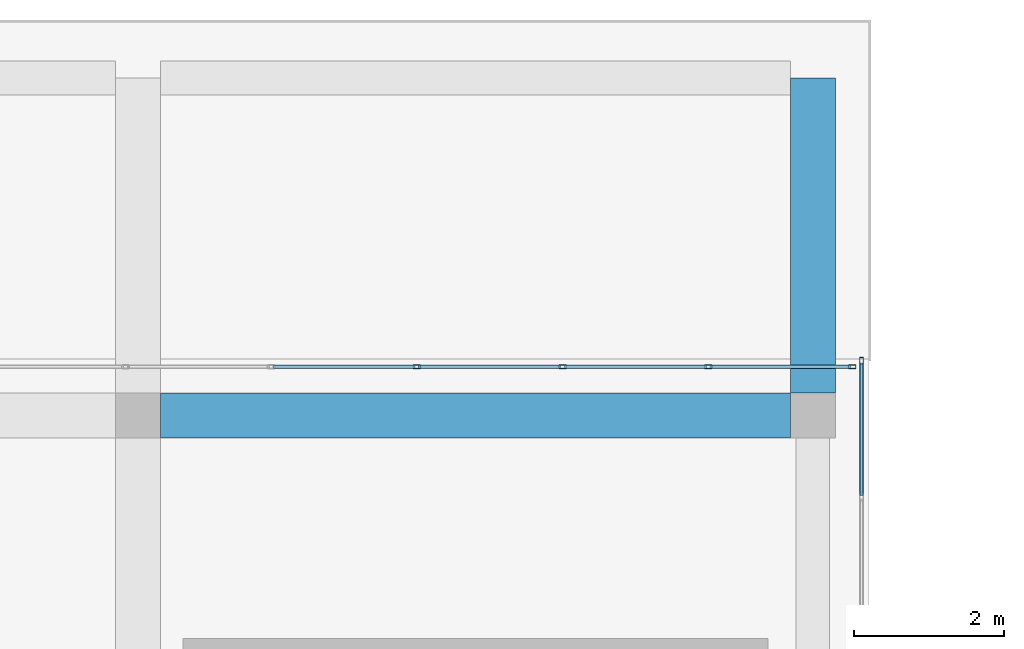
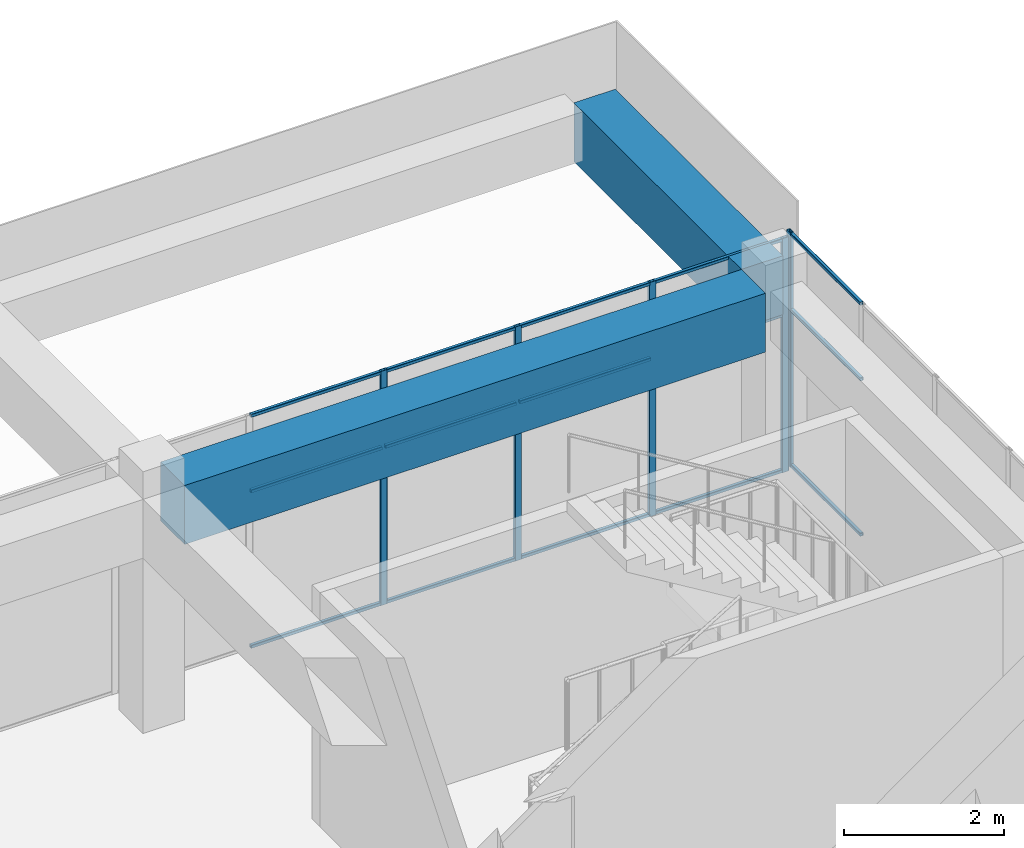
# One storey, part 28 of 35: 20 members, 2 beams, 2 elements without a shape of their own.
"""IFC4 building model written with IfcOpenShell, lengths in metres."""

from ifc_helpers import new_model, si_unit, direction, frame, origin, origin_2d, place, context, subcontext, project, spatial, rectangle, hollow_rectangle, extrude, material, layer, layer_set, material_profile, profile_set, type_object, element, aggregate, save


model = new_model("IFC4")

# Units and contexts
model_context = context("Model", 3, precision=1e-05, world=origin(), true_north=direction((0.0, 1.0)))
body_context = subcontext(model_context, "Body", "Model", "MODEL_VIEW")
ifc_project = project(units=[si_unit("LENGTHUNIT", "METRE"), si_unit("AREAUNIT", "SQUARE_METRE"), si_unit("VOLUMEUNIT", "CUBIC_METRE"), si_unit("PLANEANGLEUNIT", "RADIAN"), si_unit("MASSUNIT", "GRAM", prefix="KILO")], contexts=[model_context])

# Site, building, storey
site_placement = place(None, origin())
site = spatial("IfcSite", under=ifc_project, at=site_placement, CompositionType="ELEMENT")
building_placement = place(site_placement, origin())
building = spatial("IfcBuilding", under=site, at=building_placement, Name="Tuart Plaza Theatre", CompositionType="ELEMENT")
storey_placement = place(building_placement, frame((0.0, 0.0, 49.5)))
storey = spatial("IfcBuildingStorey", under=building, at=storey_placement, Name="L12", CompositionType="ELEMENT", Elevation=49.5)

# Beams
ifc_material_1 = material(Name="Concrete N40 (40 MPa)", Category="concrete")
ifc_material_profile_1 = material_profile(ifc_material_1, rectangle(XDim=0.60009765625, YDim=0.89990234375, at=origin_2d()), Name="BEAM 600x900 Concrete N40 (40 MPa)")
ifc_profile_set_1 = profile_set([ifc_material_profile_1], Name="Concrete N40 (40 MPa)")
beam_type = type_object("IfcBeamType", Name="BEAM 600x900 Concrete N40 (40 MPa)", PredefinedType="BEAM", material=ifc_profile_set_1)
beam_1_placement = place(storey_placement, frame((132.300048828125, 92.0, 3.1298828125), z_axis=(1.0, 0.0, 0.0), x_axis=(0.0, 1.0, 0.0)))
element("IfcBeam", 1, at=beam_1_placement, inside=storey, type_object=beam_type, Name="RB303", PredefinedType="BEAM", context=body_context, shape_type="SweptSolid", body=[
    extrude(rectangle(XDim=0.60009765625, YDim=0.89990234375, at=origin_2d()), origin(), (0.0, 0.0, 1.0), 8.39990234375),
])
beam_2_placement = place(storey_placement, frame((141.0, 92.300048828125, 3.1298828125), z_axis=(0.0, 1.0, 0.0), x_axis=(-1.0, 0.0, 0.0)))
element("IfcBeam", 2, at=beam_2_placement, inside=storey, type_object=beam_type, Name="RB317", PredefinedType="BEAM", context=body_context, shape_type="SweptSolid", body=[
    extrude(rectangle(XDim=0.60009765625, YDim=0.89990234375, at=origin_2d()), origin(), (0.0, 0.0, 1.0), 4.199951171875),
])

# Curtain wall, member
ifc_material_2 = material(Name="Aluminium and glass", Category="aluminium")
ifc_layer = layer(ifc_material_2, 0.10009765625)
ifc_layer_set = layer_set([ifc_layer], Name="CURTAIN WALL 2000 module")
curtain_wall_type = type_object("IfcCurtainWallType", Name="CURTAIN WALL 2000 module", PredefinedType="NOTDEFINED", material=ifc_layer_set)
curtain_wall_1_placement = place(storey_placement, origin())
curtain_wall_1 = element("IfcCurtainWall", 3, at=curtain_wall_1_placement, inside=storey, type_object=curtain_wall_type, Name="CW104", PredefinedType="NOTDEFINED")
ifc_material_3 = material(Name="Aluminium 6063-T5", Category="aluminium")
ifc_material_profile_2 = material_profile(ifc_material_3, hollow_rectangle(XDim=0.050048828125, YDim=0.10009765625, WallThickness=0.00390625, InnerFilletRadius=0.00390625, OuterFilletRadius=0.008056640625, at=origin_2d()), Name="RHS 100x50x4")
ifc_profile_set_2 = profile_set([ifc_material_profile_2], Name="Aluminium 6063-T5")
member_type_1 = type_object("IfcMemberType", Name="MULLION RHS 100x50x4", PredefinedType="MULLION", material=ifc_profile_set_2)
member_1_placement = place(storey_placement, frame((141.64990234375, 92.72509765625, 0.0), z_axis=(0.0, 0.0, 1.0), x_axis=(-1.0, 0.0, 0.0)))
member_1 = element("IfcMember", 4, at=member_1_placement, type_object=member_type_1, Name="CW104 mullion 6", PredefinedType="MULLION", context=body_context, shape_type="SweptSolid", body=[
    extrude(hollow_rectangle(XDim=0.050048828125, YDim=0.10009765625, WallThickness=0.00390625, InnerFilletRadius=0.00390625, OuterFilletRadius=0.008056640625, at=origin_2d()), origin(), (0.0, 0.0, 1.0), 3.580078125),
])

# Curtain wall, members
curtain_wall_2_placement = place(storey_placement, origin())
curtain_wall_2 = element("IfcCurtainWall", 5, at=curtain_wall_2_placement, inside=storey, type_object=curtain_wall_type, Name="CW105", PredefinedType="NOTDEFINED")
member_2_placement = place(storey_placement, frame((141.52490234375, 92.64990234375, 0.0), z_axis=(0.0, 0.0, 1.0), x_axis=(0.0, -1.0, 0.0)))
member_2 = element("IfcMember", 6, at=member_2_placement, type_object=member_type_1, Name="CW105 mullion 1", PredefinedType="MULLION", context=body_context, shape_type="SweptSolid", body=[
    extrude(hollow_rectangle(XDim=0.050048828125, YDim=0.10009765625, WallThickness=0.00390625, InnerFilletRadius=0.00390625, OuterFilletRadius=0.008056640625, at=origin_2d()), origin(), (0.0, 0.0, 1.0), 3.580078125),
])
member_3_placement = place(storey_placement, frame((139.606201171875, 92.64990234375, 0.0), z_axis=(0.0, 0.0, 1.0), x_axis=(0.0, -1.0, 0.0)))
member_3 = element("IfcMember", 7, at=member_3_placement, type_object=member_type_1, Name="CW105 mullion 2", PredefinedType="MULLION", context=body_context, shape_type="SweptSolid", body=[
    extrude(hollow_rectangle(XDim=0.050048828125, YDim=0.10009765625, WallThickness=0.00390625, InnerFilletRadius=0.00390625, OuterFilletRadius=0.008056640625, at=origin_2d()), origin(), (0.0, 0.0, 1.0), 3.580078125),
])
member_4_placement = place(storey_placement, frame((137.66259765625, 92.64990234375, 0.0), z_axis=(0.0, 0.0, 1.0), x_axis=(0.0, -1.0, 0.0)))
member_4 = element("IfcMember", 8, at=member_4_placement, type_object=member_type_1, Name="CW105 mullion 3", PredefinedType="MULLION", context=body_context, shape_type="SweptSolid", body=[
    extrude(hollow_rectangle(XDim=0.050048828125, YDim=0.10009765625, WallThickness=0.00390625, InnerFilletRadius=0.00390625, OuterFilletRadius=0.008056640625, at=origin_2d()), origin(), (0.0, 0.0, 1.0), 3.580078125),
])
member_5_placement = place(storey_placement, frame((135.71875, 92.64990234375, 0.0), z_axis=(0.0, 0.0, 1.0), x_axis=(0.0, -1.0, 0.0)))
member_5 = element("IfcMember", 9, at=member_5_placement, type_object=member_type_1, Name="CW105 mullion 4", PredefinedType="MULLION", context=body_context, shape_type="SweptSolid", body=[
    extrude(hollow_rectangle(XDim=0.050048828125, YDim=0.10009765625, WallThickness=0.00390625, InnerFilletRadius=0.00390625, OuterFilletRadius=0.008056640625, at=origin_2d()), origin(), (0.0, 0.0, 1.0), 3.580078125),
])

# Member
ifc_material_4 = material(Name="Aluminium 6063-T5", Category="aluminium")
ifc_material_profile_3 = material_profile(ifc_material_4, hollow_rectangle(XDim=0.050048828125, YDim=0.050048828125, WallThickness=0.00390625, InnerFilletRadius=0.00390625, OuterFilletRadius=0.008056640625, at=origin_2d()), Name="RHS 50x50x4")
ifc_profile_set_3 = profile_set([ifc_material_profile_3], Name="Aluminium 6063-T5")
member_type_2 = type_object("IfcMemberType", Name="TRANSOM RHS 50x50x4", PredefinedType="USERDEFINED", material=ifc_profile_set_3)
member_6_placement = place(storey_placement, frame((141.64990234375, 90.93505859375, 0.02490234375), z_axis=(0.0, 1.0, 0.0), x_axis=(-1.0, 0.0, 0.0)))
member_6 = element("IfcMember", 10, at=member_6_placement, type_object=member_type_2, Name="CW104 transom 5.1", ObjectType="TRANSOM", PredefinedType="USERDEFINED", context=body_context, shape_type="SweptSolid", body=[
    extrude(hollow_rectangle(XDim=0.050048828125, YDim=0.050048828125, WallThickness=0.00390625, InnerFilletRadius=0.00390625, OuterFilletRadius=0.008056640625, at=origin_2d()), origin(), (0.0, 0.0, 1.0), 1.764892578125),
])

member_7_placement = place(storey_placement, frame((141.64990234375, 90.93505859375, 2.39990234375), z_axis=(0.0, 1.0, 0.0), x_axis=(-1.0, 0.0, 0.0)))
member_7 = element("IfcMember", 11, at=member_7_placement, type_object=member_type_2, Name="CW104 transom 5.2", ObjectType="TRANSOM", PredefinedType="USERDEFINED", context=body_context, shape_type="SweptSolid", body=[
    extrude(hollow_rectangle(XDim=0.050048828125, YDim=0.050048828125, WallThickness=0.00390625, InnerFilletRadius=0.00390625, OuterFilletRadius=0.008056640625, at=origin_2d()), origin(), (0.0, 0.0, 1.0), 1.764892578125),
])

member_8_placement = place(storey_placement, frame((141.64990234375, 90.93505859375, 3.554931640625), z_axis=(0.0, 1.0, 0.0), x_axis=(-1.0, 0.0, 0.0)))
member_8 = element("IfcMember", 12, at=member_8_placement, type_object=member_type_2, Name="CW104 transom 5.3", ObjectType="TRANSOM", PredefinedType="USERDEFINED", context=body_context, shape_type="SweptSolid", body=[
    extrude(hollow_rectangle(XDim=0.050048828125, YDim=0.050048828125, WallThickness=0.00390625, InnerFilletRadius=0.00390625, OuterFilletRadius=0.008056640625, at=origin_2d()), origin(), (0.0, 0.0, 1.0), 1.764892578125),
])

aggregate(curtain_wall_1, [member_1, member_6, member_7, member_8])

member_9_placement = place(storey_placement, frame((141.5, 92.64990234375, 0.02490234375), z_axis=(-1.0, 0.0, 0.0), x_axis=(0.0, -1.0, 0.0)))
member_9 = element("IfcMember", 13, at=member_9_placement, type_object=member_type_2, Name="CW105 transom 1.1", ObjectType="TRANSOM", PredefinedType="USERDEFINED", context=body_context, shape_type="SweptSolid", body=[
    extrude(hollow_rectangle(XDim=0.050048828125, YDim=0.050048828125, WallThickness=0.00390625, InnerFilletRadius=0.00390625, OuterFilletRadius=0.008056640625, at=origin_2d()), origin(), (0.0, 0.0, 1.0), 1.86865234375),
])

member_10_placement = place(storey_placement, frame((141.5, 92.64990234375, 2.39990234375), z_axis=(-1.0, 0.0, 0.0), x_axis=(0.0, -1.0, 0.0)))
member_10 = element("IfcMember", 14, at=member_10_placement, type_object=member_type_2, Name="CW105 transom 1.2", ObjectType="TRANSOM", PredefinedType="USERDEFINED", context=body_context, shape_type="SweptSolid", body=[
    extrude(hollow_rectangle(XDim=0.050048828125, YDim=0.050048828125, WallThickness=0.00390625, InnerFilletRadius=0.00390625, OuterFilletRadius=0.008056640625, at=origin_2d()), origin(), (0.0, 0.0, 1.0), 1.86865234375),
])

member_11_placement = place(storey_placement, frame((141.5, 92.64990234375, 3.554931640625), z_axis=(-1.0, 0.0, 0.0), x_axis=(0.0, -1.0, 0.0)))
member_11 = element("IfcMember", 15, at=member_11_placement, type_object=member_type_2, Name="CW105 transom 1.3", ObjectType="TRANSOM", PredefinedType="USERDEFINED", context=body_context, shape_type="SweptSolid", body=[
    extrude(hollow_rectangle(XDim=0.050048828125, YDim=0.050048828125, WallThickness=0.00390625, InnerFilletRadius=0.00390625, OuterFilletRadius=0.008056640625, at=origin_2d()), origin(), (0.0, 0.0, 1.0), 1.86865234375),
])

member_12_placement = place(storey_placement, frame((139.581298828125, 92.64990234375, 0.02490234375), z_axis=(-1.0, 0.0, 0.0), x_axis=(0.0, -1.0, 0.0)))
member_12 = element("IfcMember", 16, at=member_12_placement, type_object=member_type_2, Name="CW105 transom 2.1", ObjectType="TRANSOM", PredefinedType="USERDEFINED", context=body_context, shape_type="SweptSolid", body=[
    extrude(hollow_rectangle(XDim=0.050048828125, YDim=0.050048828125, WallThickness=0.00390625, InnerFilletRadius=0.00390625, OuterFilletRadius=0.008056640625, at=origin_2d()), origin(), (0.0, 0.0, 1.0), 1.893798828125),
])

member_13_placement = place(storey_placement, frame((139.581298828125, 92.64990234375, 2.39990234375), z_axis=(-1.0, 0.0, 0.0), x_axis=(0.0, -1.0, 0.0)))
member_13 = element("IfcMember", 17, at=member_13_placement, type_object=member_type_2, Name="CW105 transom 2.2", ObjectType="TRANSOM", PredefinedType="USERDEFINED", context=body_context, shape_type="SweptSolid", body=[
    extrude(hollow_rectangle(XDim=0.050048828125, YDim=0.050048828125, WallThickness=0.00390625, InnerFilletRadius=0.00390625, OuterFilletRadius=0.008056640625, at=origin_2d()), origin(), (0.0, 0.0, 1.0), 1.893798828125),
])

member_14_placement = place(storey_placement, frame((139.581298828125, 92.64990234375, 3.554931640625), z_axis=(-1.0, 0.0, 0.0), x_axis=(0.0, -1.0, 0.0)))
member_14 = element("IfcMember", 18, at=member_14_placement, type_object=member_type_2, Name="CW105 transom 2.3", ObjectType="TRANSOM", PredefinedType="USERDEFINED", context=body_context, shape_type="SweptSolid", body=[
    extrude(hollow_rectangle(XDim=0.050048828125, YDim=0.050048828125, WallThickness=0.00390625, InnerFilletRadius=0.00390625, OuterFilletRadius=0.008056640625, at=origin_2d()), origin(), (0.0, 0.0, 1.0), 1.893798828125),
])

member_15_placement = place(storey_placement, frame((137.637451171875, 92.64990234375, 0.02490234375), z_axis=(-1.0, 0.0, 0.0), x_axis=(0.0, -1.0, 0.0)))
member_15 = element("IfcMember", 19, at=member_15_placement, type_object=member_type_2, Name="CW105 transom 3.1", ObjectType="TRANSOM", PredefinedType="USERDEFINED", context=body_context, shape_type="SweptSolid", body=[
    extrude(hollow_rectangle(XDim=0.050048828125, YDim=0.050048828125, WallThickness=0.00390625, InnerFilletRadius=0.00390625, OuterFilletRadius=0.008056640625, at=origin_2d()), origin(), (0.0, 0.0, 1.0), 1.893798828125),
])

member_16_placement = place(storey_placement, frame((137.637451171875, 92.64990234375, 2.39990234375), z_axis=(-1.0, 0.0, 0.0), x_axis=(0.0, -1.0, 0.0)))
member_16 = element("IfcMember", 20, at=member_16_placement, type_object=member_type_2, Name="CW105 transom 3.2", ObjectType="TRANSOM", PredefinedType="USERDEFINED", context=body_context, shape_type="SweptSolid", body=[
    extrude(hollow_rectangle(XDim=0.050048828125, YDim=0.050048828125, WallThickness=0.00390625, InnerFilletRadius=0.00390625, OuterFilletRadius=0.008056640625, at=origin_2d()), origin(), (0.0, 0.0, 1.0), 1.893798828125),
])

member_17_placement = place(storey_placement, frame((137.637451171875, 92.64990234375, 3.554931640625), z_axis=(-1.0, 0.0, 0.0), x_axis=(0.0, -1.0, 0.0)))
member_17 = element("IfcMember", 21, at=member_17_placement, type_object=member_type_2, Name="CW105 transom 3.3", ObjectType="TRANSOM", PredefinedType="USERDEFINED", context=body_context, shape_type="SweptSolid", body=[
    extrude(hollow_rectangle(XDim=0.050048828125, YDim=0.050048828125, WallThickness=0.00390625, InnerFilletRadius=0.00390625, OuterFilletRadius=0.008056640625, at=origin_2d()), origin(), (0.0, 0.0, 1.0), 1.893798828125),
])

member_18_placement = place(storey_placement, frame((135.69384765625, 92.64990234375, 0.02490234375), z_axis=(-1.0, 0.0, 0.0), x_axis=(0.0, -1.0, 0.0)))
member_18 = element("IfcMember", 22, at=member_18_placement, type_object=member_type_2, Name="CW105 transom 4.1", ObjectType="TRANSOM", PredefinedType="USERDEFINED", context=body_context, shape_type="SweptSolid", body=[
    extrude(hollow_rectangle(XDim=0.050048828125, YDim=0.050048828125, WallThickness=0.00390625, InnerFilletRadius=0.00390625, OuterFilletRadius=0.008056640625, at=origin_2d()), origin(), (0.0, 0.0, 1.0), 1.893798828125),
])

member_19_placement = place(storey_placement, frame((135.69384765625, 92.64990234375, 2.39990234375), z_axis=(-1.0, 0.0, 0.0), x_axis=(0.0, -1.0, 0.0)))
member_19 = element("IfcMember", 23, at=member_19_placement, type_object=member_type_2, Name="CW105 transom 4.2", ObjectType="TRANSOM", PredefinedType="USERDEFINED", context=body_context, shape_type="SweptSolid", body=[
    extrude(hollow_rectangle(XDim=0.050048828125, YDim=0.050048828125, WallThickness=0.00390625, InnerFilletRadius=0.00390625, OuterFilletRadius=0.008056640625, at=origin_2d()), origin(), (0.0, 0.0, 1.0), 1.893798828125),
])

member_20_placement = place(storey_placement, frame((135.69384765625, 92.64990234375, 3.554931640625), z_axis=(-1.0, 0.0, 0.0), x_axis=(0.0, -1.0, 0.0)))
member_20 = element("IfcMember", 24, at=member_20_placement, type_object=member_type_2, Name="CW105 transom 4.3", ObjectType="TRANSOM", PredefinedType="USERDEFINED", context=body_context, shape_type="SweptSolid", body=[
    extrude(hollow_rectangle(XDim=0.050048828125, YDim=0.050048828125, WallThickness=0.00390625, InnerFilletRadius=0.00390625, OuterFilletRadius=0.008056640625, at=origin_2d()), origin(), (0.0, 0.0, 1.0), 1.893798828125),
])

aggregate(curtain_wall_2, [member_2, member_3, member_4, member_5, member_9, member_10, member_11, member_12, member_13, member_14, member_15, member_16, member_17, member_18, member_19, member_20])

save(model, "model.ifc")
